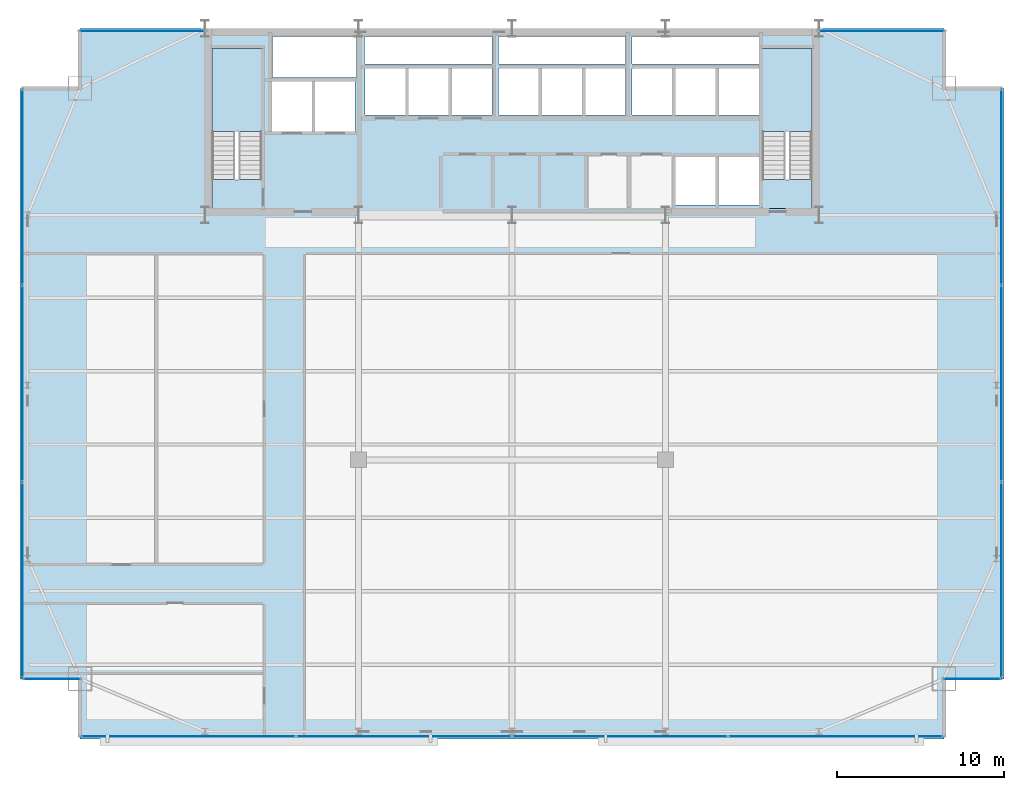
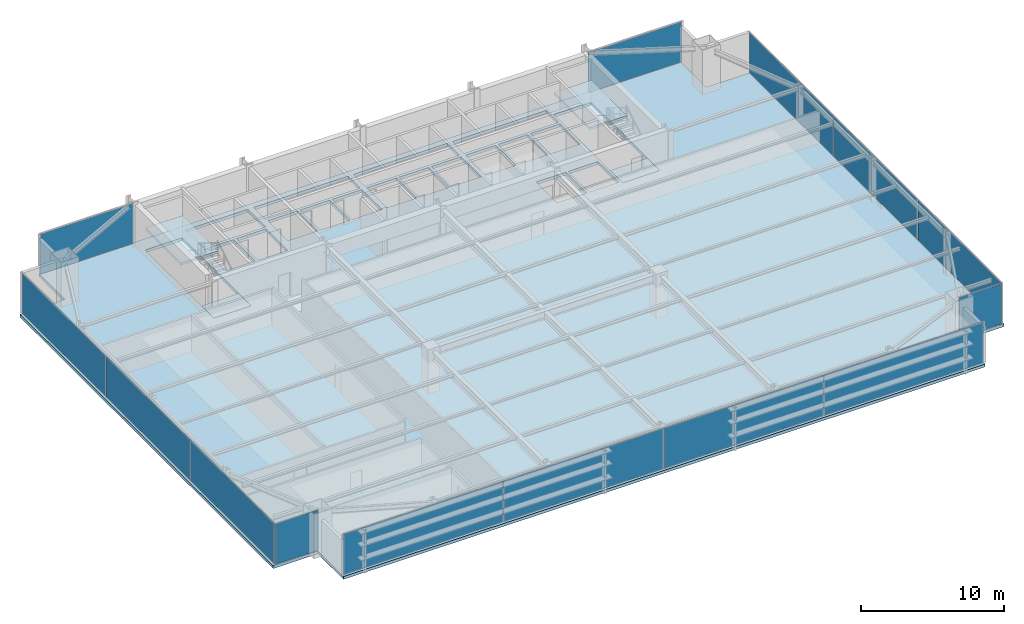
# One storey, part 26 of 32: 14 plates, 5 slabs, 9 elements without a shape of their own.
"""IFC4 building model written with IfcOpenShell, lengths in metres."""

from ifc_helpers import new_model, si_unit, direction, frame, origin, origin_2d, place, context, subcontext, project, spatial, polyline, rectangle, outline, extrude, source, transform, mapped, material, layer, layer_set, type_object, type_shapes, element, aggregate, save


model = new_model("IFC4")

# Units and contexts
model_context = context("Model", 3, precision=1e-05, world=origin(), true_north=direction((0.0, 1.0)))
body_context = subcontext(model_context, "Body", "Model", "MODEL_VIEW")
ifc_project = project(units=[si_unit("LENGTHUNIT", "METRE"), si_unit("AREAUNIT", "SQUARE_METRE"), si_unit("VOLUMEUNIT", "CUBIC_METRE"), si_unit("PLANEANGLEUNIT", "RADIAN"), si_unit("MASSUNIT", "GRAM", prefix="KILO")], contexts=[model_context])

# Site, building, storey
site_placement = place(None, origin())
site = spatial("IfcSite", under=ifc_project, at=site_placement, CompositionType="ELEMENT")
building_placement = place(site_placement, origin())
building = spatial("IfcBuilding", under=site, at=building_placement, Name="Varnel Quay Broadcast Tower", CompositionType="ELEMENT")
storey_placement = place(building_placement, frame((0.0, 0.0, 90.800048828125)))
storey = spatial("IfcBuildingStorey", under=building, at=storey_placement, Name="L21", CompositionType="ELEMENT", Elevation=90.800048828125)

# Slabs
ifc_material_1 = material(Name="Concrete CSA A23.3 C50/60", Category="concrete")
ifc_layer_1 = layer(ifc_material_1, 0.25, Name="Concrete CSA A23.3 C50/60")
ifc_layer_set_1 = layer_set([ifc_layer_1], Name="Concrete CSA A23.3 C50/60")
slab_type_1 = type_object("IfcSlabType", Name="Slab_Floor250", PredefinedType="FLOOR", material=ifc_layer_set_1)
slab_1_placement = place(storey_placement, frame((0.0, 0.0, -0.25)))
element("IfcSlab", 1, at=slab_1_placement, inside=storey, type_object=slab_type_1, Name="L21 Structural Slab", PredefinedType="FLOOR", context=body_context, shape_type="SweptSolid", body=[
    extrude(outline(polyline([(8.10009765625, 4.199951171875), (59.89990234375, 4.199951171875), (59.89990234375, 7.800048828125), (63.5, 7.800048828125), (63.5, 43.199951171875), (59.89990234375, 43.199951171875), (59.89990234375, 46.800048828125), (8.10009765625, 46.800048828125), (8.10009765625, 43.199951171875), (4.5, 43.199951171875), (4.5, 7.800048828125), (8.10009765625, 7.800048828125), (8.10009765625, 4.199951171875)]), holes=[polyline([(16.0, 36.0), (16.0, 45.60009765625), (19.0, 45.60009765625), (19.0, 36.0), (16.0, 36.0)]), polyline([(19.60009765625, 43.60009765625), (22.0, 43.60009765625), (22.0, 40.60009765625), (19.60009765625, 40.60009765625), (19.60009765625, 43.60009765625)]), polyline([(22.199951171875, 43.60009765625), (24.60009765625, 43.60009765625), (24.60009765625, 40.60009765625), (22.199951171875, 40.60009765625), (22.199951171875, 43.60009765625)]), polyline([(25.199951171875, 44.39990234375), (27.60009765625, 44.39990234375), (27.60009765625, 41.60009765625), (25.199951171875, 41.60009765625), (25.199951171875, 44.39990234375)]), polyline([(27.800048828125, 44.39990234375), (30.199951171875, 44.39990234375), (30.199951171875, 41.60009765625), (27.800048828125, 41.60009765625), (27.800048828125, 44.39990234375)]), polyline([(30.39990234375, 44.39990234375), (32.800048828125, 44.39990234375), (32.800048828125, 41.60009765625), (30.39990234375, 41.60009765625), (30.39990234375, 44.39990234375)]), polyline([(33.199951171875, 44.39990234375), (35.60009765625, 44.39990234375), (35.60009765625, 41.60009765625), (33.199951171875, 41.60009765625), (33.199951171875, 44.39990234375)]), polyline([(38.199951171875, 44.39990234375), (38.199951171875, 41.60009765625), (35.800048828125, 41.60009765625), (35.800048828125, 44.39990234375), (38.199951171875, 44.39990234375)]), polyline([(24.679931640625, 46.300048828125), (24.679931640625, 43.85009765625), (19.64990234375, 43.85009765625), (19.64990234375, 46.300048828125), (24.679931640625, 46.300048828125)]), polyline([(25.14990234375, 46.300048828125), (32.800048828125, 46.300048828125), (32.800048828125, 44.64990234375), (25.14990234375, 44.64990234375), (25.14990234375, 46.300048828125)]), polyline([(43.800048828125, 39.10009765625), (46.199951171875, 39.10009765625), (46.199951171875, 36.199951171875), (43.800048828125, 36.199951171875), (43.800048828125, 39.10009765625)]), polyline([(46.39990234375, 39.10009765625), (48.800048828125, 39.10009765625), (48.800048828125, 36.199951171875), (46.39990234375, 36.199951171875), (46.39990234375, 39.10009765625)]), polyline([(49.0, 45.60009765625), (52.0, 45.60009765625), (52.0, 36.0), (49.0, 36.0), (49.0, 45.60009765625)]), polyline([(40.800048828125, 44.39990234375), (40.800048828125, 41.60009765625), (38.39990234375, 41.60009765625), (38.39990234375, 44.39990234375), (40.800048828125, 44.39990234375)]), polyline([(41.199951171875, 44.39990234375), (43.60009765625, 44.39990234375), (43.60009765625, 41.60009765625), (41.199951171875, 41.60009765625), (41.199951171875, 44.39990234375)]), polyline([(43.800048828125, 44.39990234375), (46.199951171875, 44.39990234375), (46.199951171875, 41.60009765625), (43.800048828125, 41.60009765625), (43.800048828125, 44.39990234375)]), polyline([(46.39990234375, 44.39990234375), (48.800048828125, 44.39990234375), (48.800048828125, 41.60009765625), (46.39990234375, 41.60009765625), (46.39990234375, 44.39990234375)]), polyline([(40.800048828125, 46.300048828125), (40.800048828125, 44.64990234375), (33.199951171875, 44.64990234375), (33.199951171875, 46.300048828125), (40.800048828125, 46.300048828125)]), polyline([(48.800048828125, 46.300048828125), (48.800048828125, 44.64990234375), (41.199951171875, 44.64990234375), (41.199951171875, 46.300048828125), (48.800048828125, 46.300048828125)])]), origin(), (0.0, 0.0, 1.0), 0.25),
])
ifc_layer_2 = layer(ifc_material_1, 0.25, Name="Concrete CSA A23.3 C50/60")
ifc_layer_set_2 = layer_set([ifc_layer_2], Name="Concrete CSA A23.3 C50/60")
slab_type_2 = type_object("IfcSlabType", Name="Slab_StairFloorLanding250", PredefinedType="FLOOR", material=ifc_layer_set_2)
slab_2_placement = place(storey_placement, frame((0.0, 0.0, -0.25)))
element("IfcSlab", 2, at=slab_2_placement, inside=storey, type_object=slab_type_2, Name="L21 ST-01 Structural Floor Landing Slab", PredefinedType="FLOOR", context=body_context, shape_type="SweptSolid", body=[
    extrude(outline(polyline([(19.0, 36.0), (19.0, 37.75), (16.0, 37.75), (16.0, 36.0), (19.0, 36.0)])), origin(), (0.0, 0.0, 1.0), 0.25),
])
slab_3_placement = place(storey_placement, frame((0.0, 0.0, -0.25)))
element("IfcSlab", 3, at=slab_3_placement, inside=storey, type_object=slab_type_2, Name="L21 ST-02 Structural Floor Landing Slab", PredefinedType="FLOOR", context=body_context, shape_type="SweptSolid", body=[
    extrude(outline(polyline([(52.0, 36.0), (52.0, 37.75), (49.0, 37.75), (49.0, 36.0), (52.0, 36.0)])), origin(), (0.0, 0.0, 1.0), 0.25),
])

# Stair, slab
ifc_material_2 = material(Name="Precast Structural Concrete C40/50", Category="concrete")
stair_type_1 = type_object("IfcStairType", Name="Stair_ST-01", PredefinedType="HALF_TURN_STAIR", material=ifc_material_2)
stair_1_placement = place(storey_placement, origin())
stair_1 = element("IfcStair", 4, at=stair_1_placement, inside=storey, type_object=stair_type_1, Name="L21 West Core Exit Stair 1", PredefinedType="HALF_TURN_STAIR")
ifc_layer_3 = layer(ifc_material_2, 0.199951171875, Name="Precast Structural Concrete C40/50")
ifc_layer_set_3 = layer_set([ifc_layer_3], Name="Precast Structural Concrete C40/50")
slab_type_3 = type_object("IfcSlabType", Name="Slab_StairLanding200", PredefinedType="LANDING", material=ifc_layer_set_3)
slab_4_placement = place(storey_placement, frame((0.0, 0.0, 1.699951171875)))
slab_4 = element("IfcSlab", 5, at=slab_4_placement, type_object=slab_type_3, Name="ST-01 landing 1", PredefinedType="LANDING", context=body_context, shape_type="SweptSolid", body=[
    extrude(outline(polyline([(19.0, 40.60009765625), (19.0, 45.60009765625), (16.0, 45.60009765625), (16.0, 40.60009765625), (19.0, 40.60009765625)])), origin(), (0.0, 0.0, 1.0), 0.199951171875),
])
aggregate(stair_1, [slab_4])

stair_type_2 = type_object("IfcStairType", Name="Stair_ST-02", PredefinedType="HALF_TURN_STAIR", material=ifc_material_2)
stair_2_placement = place(storey_placement, origin())
stair_2 = element("IfcStair", 6, at=stair_2_placement, inside=storey, type_object=stair_type_2, Name="L21 East Core Exit Stair 2", PredefinedType="HALF_TURN_STAIR")
slab_5_placement = place(storey_placement, frame((0.0, 0.0, 1.699951171875)))
slab_5 = element("IfcSlab", 7, at=slab_5_placement, type_object=slab_type_3, Name="ST-02 landing 1", PredefinedType="LANDING", context=body_context, shape_type="SweptSolid", body=[
    extrude(outline(polyline([(52.0, 40.60009765625), (52.0, 45.60009765625), (49.0, 45.60009765625), (49.0, 40.60009765625), (52.0, 40.60009765625)])), origin(), (0.0, 0.0, 1.0), 0.199951171875),
])
aggregate(stair_2, [slab_5])

# Curtain wall, plates
ifc_material_3 = material(Name="Anodised Bronze Aluminium 6063-T6", Category="aluminium")
ifc_layer_4 = layer(ifc_material_3, 0.18994140625, Name="Anodised Bronze Aluminium 6063-T6")
ifc_layer_set_4 = layer_set([ifc_layer_4], Name="Anodised Bronze Aluminium 6063-T6")
curtain_wall_type_1 = type_object("IfcCurtainWallType", Name="CW_LowerTower", PredefinedType="NOTDEFINED", material=ifc_layer_set_4)
curtain_wall_1_placement = place(storey_placement, origin())
curtain_wall_1 = element("IfcCurtainWall", 8, at=curtain_wall_1_placement, inside=storey, type_object=curtain_wall_type_1, Name="L21 West Unitised Curtain Wall", PredefinedType="NOTDEFINED")
ifc_material_4 = material(Name="Insulated Bronze Spandrel Glass", Category="glass")
ifc_layer_5 = layer(ifc_material_4, 0.031982421875, Name="Insulated Bronze Spandrel Glass")
ifc_layer_set_5 = layer_set([ifc_layer_5], Name="Insulated Bronze Spandrel Glass")
plate_type_1 = type_object("IfcPlateType", Name="PanelSp_CWS-02", PredefinedType="CURTAIN_PANEL", material=ifc_layer_set_5)
shared_shape_1 = source(origin(), body_context, "Body", "SweptSolid", [
    extrude(rectangle(XDim=11.695068359375, YDim=0.031982421875, at=origin_2d()), origin(), (0.0, 0.0, 1.0), 3.429931640625),
])
plate_1_placement = place(storey_placement, frame((4.64990234375, 13.717529296875, 0.06005859375), z_axis=(0.0, 0.0, 1.0), x_axis=(0.0, 1.0, 0.0)))
plate_1 = element("IfcPlate", 9, at=plate_1_placement, type_object=plate_type_1, Name="CWS-02 panel 1.1", PredefinedType="CURTAIN_PANEL", context=body_context, shape_type="MappedRepresentation", body=[
    mapped(shared_shape_1, transform((0.0, 0.0, 0.0), x_axis=(1.0, 0.0, 0.0), y_axis=(0.0, 1.0, 0.0), z_axis=(0.0, 0.0, 1.0), scale=1.0)),
])
plate_2_placement = place(storey_placement, frame((4.64990234375, 37.282470703125, 0.06005859375), z_axis=(0.0, 0.0, 1.0), x_axis=(0.0, 1.0, 0.0)))
plate_2 = element("IfcPlate", 10, at=plate_2_placement, type_object=plate_type_1, Name="CWS-02 panel 3.1", PredefinedType="CURTAIN_PANEL", context=body_context, shape_type="MappedRepresentation", body=[
    mapped(shared_shape_1, transform((0.0, 0.0, 0.0), x_axis=(1.0, 0.0, 0.0), y_axis=(0.0, 1.0, 0.0), z_axis=(0.0, 0.0, 1.0), scale=1.0)),
])

curtain_wall_2_placement = place(storey_placement, origin())
curtain_wall_2 = element("IfcCurtainWall", 11, at=curtain_wall_2_placement, inside=storey, type_object=curtain_wall_type_1, Name="L21 East Unitised Curtain Wall", PredefinedType="NOTDEFINED")
plate_3_placement = place(storey_placement, frame((63.35009765625, 13.717529296875, 0.06005859375), z_axis=(0.0, 0.0, 1.0), x_axis=(0.0, 1.0, 0.0)))
plate_3 = element("IfcPlate", 12, at=plate_3_placement, type_object=plate_type_1, Name="CWS-02 panel 1.1", PredefinedType="CURTAIN_PANEL", context=body_context, shape_type="MappedRepresentation", body=[
    mapped(shared_shape_1, transform((0.0, 0.0, 0.0), x_axis=(1.0, 0.0, 0.0), y_axis=(0.0, 1.0, 0.0), z_axis=(0.0, 0.0, 1.0), scale=1.0)),
])
plate_4_placement = place(storey_placement, frame((63.35009765625, 37.282470703125, 0.06005859375), z_axis=(0.0, 0.0, 1.0), x_axis=(0.0, 1.0, 0.0)))
plate_4 = element("IfcPlate", 13, at=plate_4_placement, type_object=plate_type_1, Name="CWS-02 panel 3.1", PredefinedType="CURTAIN_PANEL", context=body_context, shape_type="MappedRepresentation", body=[
    mapped(shared_shape_1, transform((0.0, 0.0, 0.0), x_axis=(1.0, 0.0, 0.0), y_axis=(0.0, 1.0, 0.0), z_axis=(0.0, 0.0, 1.0), scale=1.0)),
])

# Plate
shared_shape_2 = source(origin(), body_context, "Body", "SweptSolid", [
    extrude(rectangle(XDim=11.72998046875, YDim=0.031982421875, at=origin_2d()), origin(), (0.0, 0.0, 1.0), 3.429931640625),
])
plate_5_placement = place(storey_placement, frame((4.64990234375, 25.5, 0.06005859375), z_axis=(0.0, 0.0, 1.0), x_axis=(0.0, 1.0, 0.0)))
plate_5 = element("IfcPlate", 14, at=plate_5_placement, type_object=plate_type_1, Name="CWS-02 panel 2.1", PredefinedType="CURTAIN_PANEL", context=body_context, shape_type="MappedRepresentation", body=[
    mapped(shared_shape_2, transform((0.0, 0.0, 0.0), x_axis=(1.0, 0.0, 0.0), y_axis=(0.0, 1.0, 0.0), z_axis=(0.0, 0.0, 1.0), scale=1.0)),
])

aggregate(curtain_wall_1, [plate_1, plate_5, plate_2])

plate_6_placement = place(storey_placement, frame((63.35009765625, 25.5, 0.06005859375), z_axis=(0.0, 0.0, 1.0), x_axis=(0.0, 1.0, 0.0)))
plate_6 = element("IfcPlate", 15, at=plate_6_placement, type_object=plate_type_1, Name="CWS-02 panel 2.1", PredefinedType="CURTAIN_PANEL", context=body_context, shape_type="MappedRepresentation", body=[
    mapped(shared_shape_2, transform((0.0, 0.0, 0.0), x_axis=(1.0, 0.0, 0.0), y_axis=(0.0, 1.0, 0.0), z_axis=(0.0, 0.0, 1.0), scale=1.0)),
])

aggregate(curtain_wall_2, [plate_3, plate_6, plate_4])

# Curtain wall, plate
ifc_layer_6 = layer(ifc_material_3, 0.18994140625, Name="Anodised Bronze Aluminium 6063-T6")
ifc_layer_set_6 = layer_set([ifc_layer_6], Name="Anodised Bronze Aluminium 6063-T6")
curtain_wall_type_2 = type_object("IfcCurtainWallType", Name="CW_NotchCorner", PredefinedType="NOTDEFINED", material=ifc_layer_set_6)
curtain_wall_3_placement = place(storey_placement, origin())
curtain_wall_3 = element("IfcCurtainWall", 16, at=curtain_wall_3_placement, inside=storey, type_object=curtain_wall_type_2, Name="L21 SW Notch Curtain Wall", PredefinedType="NOTDEFINED")
ifc_material_5 = material(Name="Triple-Glazed Bronze Low-E Architectural Glass", Category="glass")
ifc_layer_7 = layer(ifc_material_5, 0.028076171875, Name="Triple-Glazed Bronze Low-E Architectural Glass")
ifc_layer_set_7 = layer_set([ifc_layer_7], Name="Triple-Glazed Bronze Low-E Architectural Glass")
plate_type_2 = type_object("IfcPlateType", Name="Panel_CWS-04", PredefinedType="CURTAIN_PANEL", material=ifc_layer_set_7)
shared_shape_3 = source(origin(), body_context, "Body", "SweptSolid", [
    extrude(rectangle(XDim=3.409912109375, YDim=0.028076171875, at=origin_2d()), origin(), (0.0, 0.0, 1.0), 3.43994140625),
])
type_shapes(plate_type_2, [shared_shape_3])
plate_7_placement = place(storey_placement, frame((6.4150390625, 7.800048828125, 0.054931640625), z_axis=(0.0, 0.0, 1.0), x_axis=(1.0, 0.0, 0.0)))
plate_7 = element("IfcPlate", 17, at=plate_7_placement, type_object=plate_type_2, Name="CWS-04 panel 1.1", PredefinedType="CURTAIN_PANEL", context=body_context, shape_type="MappedRepresentation", body=[
    mapped(shared_shape_3, transform((0.0, 0.0, 0.0), x_axis=(1.0, 0.0, 0.0), y_axis=(0.0, 1.0, 0.0), z_axis=(0.0, 0.0, 1.0), scale=1.0)),
])
aggregate(curtain_wall_3, [plate_7])

curtain_wall_4_placement = place(storey_placement, origin())
curtain_wall_4 = element("IfcCurtainWall", 18, at=curtain_wall_4_placement, inside=storey, type_object=curtain_wall_type_2, Name="L21 SE Notch Curtain Wall", PredefinedType="NOTDEFINED")
plate_8_placement = place(storey_placement, frame((61.5849609375, 7.800048828125, 0.054931640625), z_axis=(0.0, 0.0, 1.0), x_axis=(1.0, 0.0, 0.0)))
plate_8 = element("IfcPlate", 19, at=plate_8_placement, type_object=plate_type_2, Name="CWS-04 panel 1.1", PredefinedType="CURTAIN_PANEL", context=body_context, shape_type="MappedRepresentation", body=[
    mapped(shared_shape_3, transform((0.0, 0.0, 0.0), x_axis=(1.0, 0.0, 0.0), y_axis=(0.0, 1.0, 0.0), z_axis=(0.0, 0.0, 1.0), scale=1.0)),
])
aggregate(curtain_wall_4, [plate_8])

curtain_wall_5_placement = place(storey_placement, origin())
curtain_wall_5 = element("IfcCurtainWall", 20, at=curtain_wall_5_placement, inside=storey, type_object=curtain_wall_type_1, Name="L21 NW Wing Curtain Wall", PredefinedType="NOTDEFINED")
ifc_layer_8 = layer(ifc_material_5, 0.031982421875, Name="Triple-Glazed Bronze Low-E Architectural Glass")
ifc_layer_set_8 = layer_set([ifc_layer_8], Name="Triple-Glazed Bronze Low-E Architectural Glass")
plate_type_3 = type_object("IfcPlateType", Name="Panel_CWS-02", PredefinedType="CURTAIN_PANEL", material=ifc_layer_set_8)
shared_shape_4 = source(origin(), body_context, "Body", "SweptSolid", [
    extrude(rectangle(XDim=7.5400390625, YDim=0.031982421875, at=origin_2d()), origin(), (0.0, 0.0, 1.0), 3.429931640625),
])
plate_9_placement = place(storey_placement, frame((11.860107421875, 46.64990234375, 0.06005859375), z_axis=(0.0, 0.0, 1.0), x_axis=(1.0, 0.0, 0.0)))
plate_9 = element("IfcPlate", 21, at=plate_9_placement, type_object=plate_type_3, Name="CWS-02 panel 1.1", PredefinedType="CURTAIN_PANEL", context=body_context, shape_type="MappedRepresentation", body=[
    mapped(shared_shape_4, transform((0.0, 0.0, 0.0), x_axis=(1.0, 0.0, 0.0), y_axis=(0.0, 1.0, 0.0), z_axis=(0.0, 0.0, 1.0), scale=1.0)),
])
aggregate(curtain_wall_5, [plate_9])

curtain_wall_6_placement = place(storey_placement, origin())
curtain_wall_6 = element("IfcCurtainWall", 22, at=curtain_wall_6_placement, inside=storey, type_object=curtain_wall_type_1, Name="L21 NE Wing Curtain Wall", PredefinedType="NOTDEFINED")
plate_10_placement = place(storey_placement, frame((56.139892578125, 46.64990234375, 0.06005859375), z_axis=(0.0, 0.0, 1.0), x_axis=(1.0, 0.0, 0.0)))
plate_10 = element("IfcPlate", 23, at=plate_10_placement, type_object=plate_type_3, Name="CWS-02 panel 1.1", PredefinedType="CURTAIN_PANEL", context=body_context, shape_type="MappedRepresentation", body=[
    mapped(shared_shape_4, transform((0.0, 0.0, 0.0), x_axis=(1.0, 0.0, 0.0), y_axis=(0.0, 1.0, 0.0), z_axis=(0.0, 0.0, 1.0), scale=1.0)),
])
aggregate(curtain_wall_6, [plate_10])

# Curtain wall, plates
curtain_wall_7_placement = place(storey_placement, origin())
curtain_wall_7 = element("IfcCurtainWall", 24, at=curtain_wall_7_placement, inside=storey, type_object=curtain_wall_type_1, Name="L21 South Unitised Curtain Wall 1", PredefinedType="NOTDEFINED")
shared_shape_5 = source(origin(), body_context, "Body", "SweptSolid", [
    extrude(rectangle(XDim=12.844970703125, YDim=0.031982421875, at=origin_2d()), origin(), (0.0, 0.0, 1.0), 3.429931640625),
])
type_shapes(plate_type_3, [shared_shape_4, shared_shape_5])
plate_11_placement = place(storey_placement, frame((14.592529296875, 4.35009765625, 0.06005859375), z_axis=(0.0, 0.0, 1.0), x_axis=(1.0, 0.0, 0.0)))
plate_11 = element("IfcPlate", 25, at=plate_11_placement, type_object=plate_type_3, Name="CWS-02 panel 1.1", PredefinedType="CURTAIN_PANEL", context=body_context, shape_type="MappedRepresentation", body=[
    mapped(shared_shape_5, transform((0.0, 0.0, 0.0), x_axis=(1.0, 0.0, 0.0), y_axis=(0.0, 1.0, 0.0), z_axis=(0.0, 0.0, 1.0), scale=1.0)),
])
plate_12_placement = place(storey_placement, frame((53.407470703125, 4.35009765625, 0.06005859375), z_axis=(0.0, 0.0, 1.0), x_axis=(1.0, 0.0, 0.0)))
plate_12 = element("IfcPlate", 26, at=plate_12_placement, type_object=plate_type_3, Name="CWS-02 panel 4.1", PredefinedType="CURTAIN_PANEL", context=body_context, shape_type="MappedRepresentation", body=[
    mapped(shared_shape_5, transform((0.0, 0.0, 0.0), x_axis=(1.0, 0.0, 0.0), y_axis=(0.0, 1.0, 0.0), z_axis=(0.0, 0.0, 1.0), scale=1.0)),
])
shared_shape_6 = source(origin(), body_context, "Body", "SweptSolid", [
    extrude(rectangle(XDim=12.8798828125, YDim=0.031982421875, at=origin_2d()), origin(), (0.0, 0.0, 1.0), 3.429931640625),
])
type_shapes(plate_type_1, [shared_shape_1, shared_shape_2, shared_shape_6])
plate_13_placement = place(storey_placement, frame((27.52490234375, 4.35009765625, 0.06005859375), z_axis=(0.0, 0.0, 1.0), x_axis=(1.0, 0.0, 0.0)))
plate_13 = element("IfcPlate", 27, at=plate_13_placement, type_object=plate_type_1, Name="CWS-02 panel 2.1", PredefinedType="CURTAIN_PANEL", context=body_context, shape_type="MappedRepresentation", body=[
    mapped(shared_shape_6, transform((0.0, 0.0, 0.0), x_axis=(1.0, 0.0, 0.0), y_axis=(0.0, 1.0, 0.0), z_axis=(0.0, 0.0, 1.0), scale=1.0)),
])
plate_14_placement = place(storey_placement, frame((40.47509765625, 4.35009765625, 0.06005859375), z_axis=(0.0, 0.0, 1.0), x_axis=(1.0, 0.0, 0.0)))
plate_14 = element("IfcPlate", 28, at=plate_14_placement, type_object=plate_type_1, Name="CWS-02 panel 3.1", PredefinedType="CURTAIN_PANEL", context=body_context, shape_type="MappedRepresentation", body=[
    mapped(shared_shape_6, transform((0.0, 0.0, 0.0), x_axis=(1.0, 0.0, 0.0), y_axis=(0.0, 1.0, 0.0), z_axis=(0.0, 0.0, 1.0), scale=1.0)),
])
aggregate(curtain_wall_7, [plate_11, plate_13, plate_14, plate_12])

save(model, "model.ifc")
